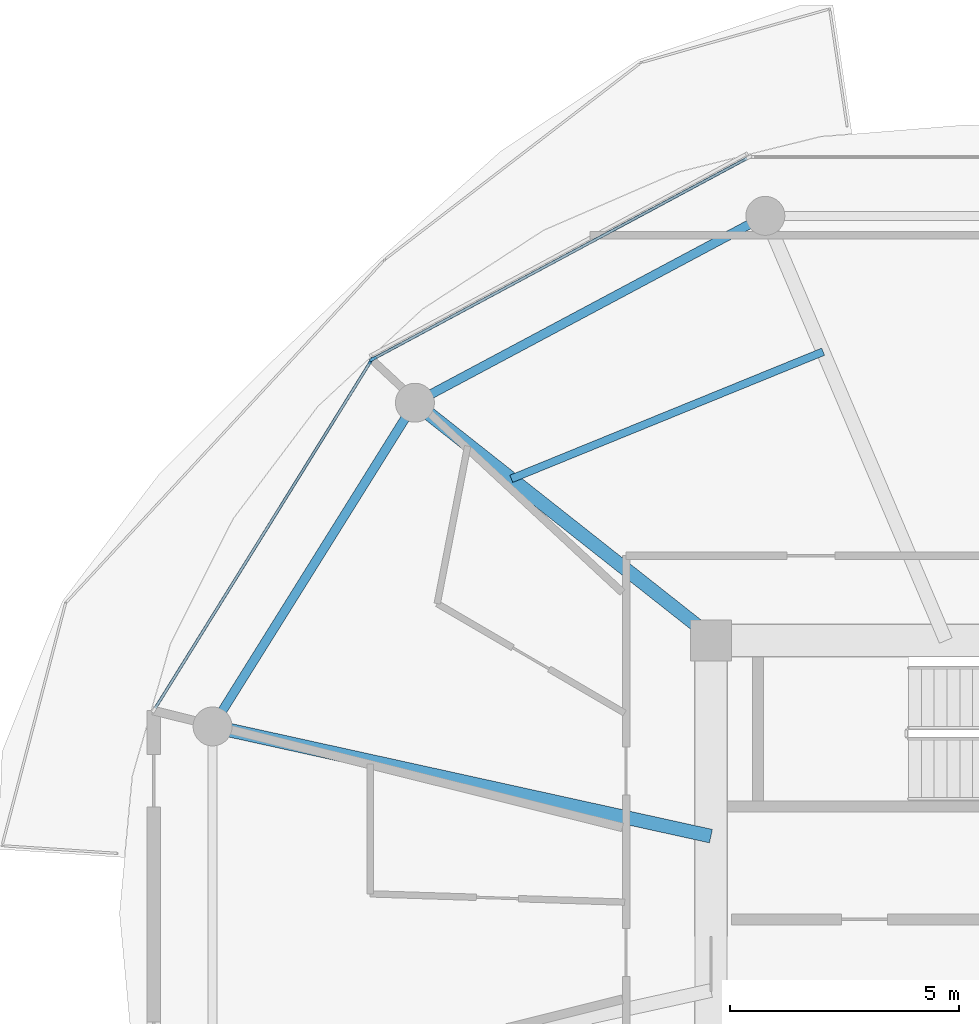
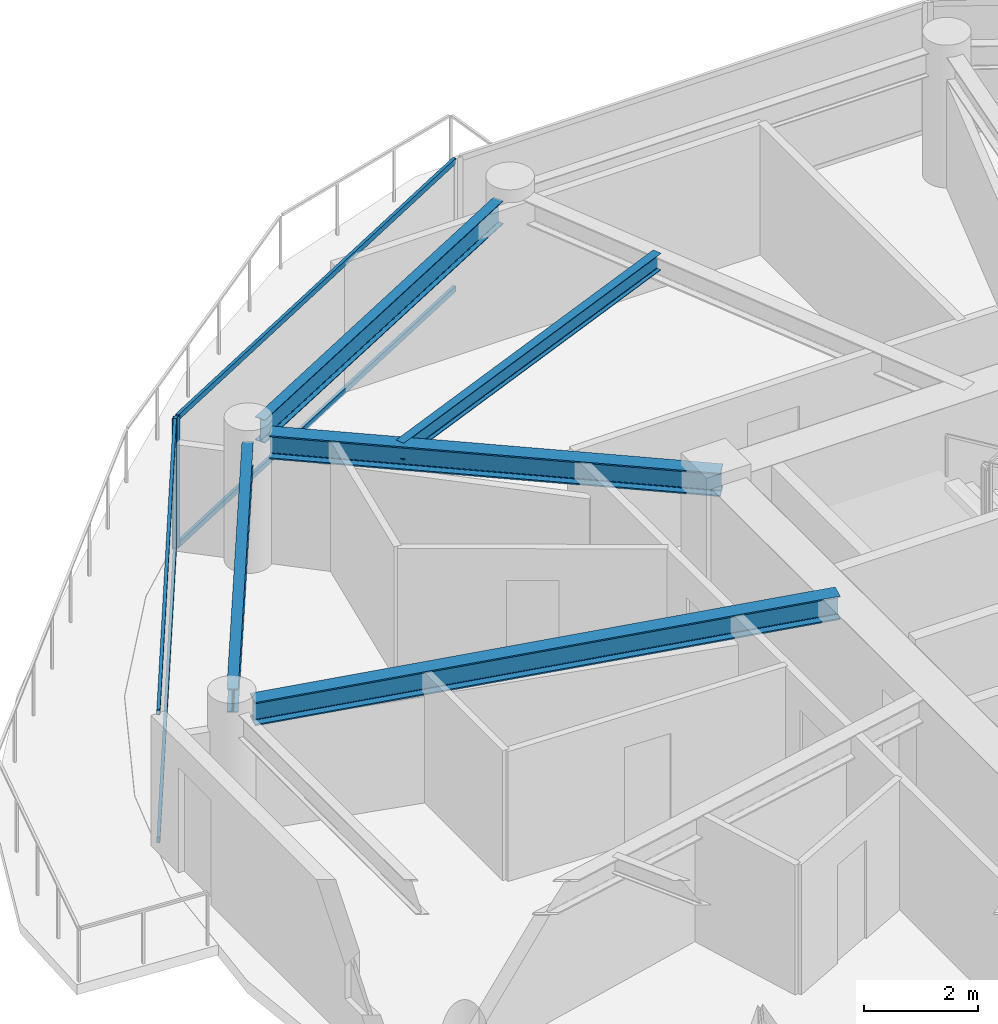
# One storey, part 8 of 22: 6 members, 5 beams, 2 elements without a shape of their own.
"""IFC4 building model written with IfcOpenShell, lengths in metres."""

from ifc_helpers import new_model, si_unit, direction, frame, origin, origin_2d, place, context, subcontext, project, spatial, rectangle, i_section, extrude, source, transform, mapped, material, layer, layer_set, material_profile, profile_set, type_object, type_shapes, element, aggregate, save


model = new_model("IFC4")

# Units and contexts
model_context = context("Model", 3, precision=1e-05, world=origin(), true_north=direction((0.0, 1.0)))
body_context = subcontext(model_context, "Body", "Model", "MODEL_VIEW")
ifc_project = project(units=[si_unit("LENGTHUNIT", "METRE"), si_unit("AREAUNIT", "SQUARE_METRE"), si_unit("VOLUMEUNIT", "CUBIC_METRE"), si_unit("PLANEANGLEUNIT", "RADIAN"), si_unit("MASSUNIT", "GRAM", prefix="KILO")], contexts=[model_context])

# Site, building, storey
site_placement = place(None, origin())
site = spatial("IfcSite", under=ifc_project, at=site_placement, CompositionType="ELEMENT")
building_placement = place(site_placement, origin())
building = spatial("IfcBuilding", under=site, at=building_placement, Name="Norrkilde Senior Care Towers", CompositionType="ELEMENT")
storey_placement = place(building_placement, frame((0.0, 0.0, 120.64990234375)))
storey = spatial("IfcBuildingStorey", under=building, at=storey_placement, Name="L37", CompositionType="ELEMENT", Elevation=120.64990234375)

# Beams
ifc_material_1 = material(Name="Steel S355", Category="steel")
ifc_material_profile_1 = material_profile(ifc_material_1, i_section(OverallWidth=0.199951171875, OverallDepth=0.5, WebThickness=0.01025390625, FlangeThickness=0.01611328125, FilletRadius=0.02099609375, at=origin_2d()), Name="IPE 500")
ifc_profile_set_1 = profile_set([ifc_material_profile_1], Name="Steel S355")
beam_type_1 = type_object("IfcBeamType", Name="Perimeter Ring Spandrel Z2 IPE500", PredefinedType="SPANDREL", material=ifc_profile_set_1)
shared_shape_1 = source(origin(), body_context, "Body", "SweptSolid", [
    extrude(i_section(OverallWidth=0.199951171875, OverallDepth=0.5, WebThickness=0.01025390625, FlangeThickness=0.01611328125, FilletRadius=0.02099609375, at=origin_2d()), origin(), (0.0, 0.0, 1.0), 7.55615234375),
])
beam_1_placement = place(storey_placement, frame((13.689697265625, 10.810546875, 2.5400390625), z_axis=(-0.529981514254, -0.848009194849, 0.0), x_axis=(0.848009194849, -0.529981514254, 0.0)))
element("IfcBeam", 1, at=beam_1_placement, inside=storey, type_object=beam_type_1, Name="L37 Drum E Perimeter Spandrel 05", PredefinedType="SPANDREL", context=body_context, shape_type="MappedRepresentation", body=[
    mapped(shared_shape_1, transform((0.0, 0.0, 0.0), x_axis=(1.0, 0.0, 0.0), y_axis=(0.0, 1.0, 0.0), z_axis=(0.0, 0.0, 1.0), scale=1.0)),
])
ifc_material_profile_2 = material_profile(ifc_material_1, i_section(OverallWidth=0.300048828125, OverallDepth=0.5, WebThickness=0.014404296875, FlangeThickness=0.028076171875, FilletRadius=0.027099609375, at=origin_2d()), Name="HEB 500")
ifc_profile_set_2 = profile_set([ifc_material_profile_2], Name="Steel S355")
beam_type_2 = type_object("IfcBeamType", Name="Radial Floor Beam Z2 HEB500", PredefinedType="BEAM", material=ifc_profile_set_2)
shared_shape_2 = source(origin(), body_context, "Body", "SweptSolid", [
    extrude(i_section(OverallWidth=0.300048828125, OverallDepth=0.5, WebThickness=0.014404296875, FlangeThickness=0.028076171875, FilletRadius=0.027099609375, at=origin_2d()), origin(), (0.0, 0.0, 1.0), 10.744384765625),
])
beam_2_placement = place(storey_placement, frame((20.35009765625, 1.683837890625, 2.5400390625), z_axis=(-0.976618711422, 0.214978818724, 0.0), x_axis=(-0.214978818724, -0.976618711422, 0.0)))
element("IfcBeam", 2, at=beam_2_placement, inside=storey, type_object=beam_type_2, Name="L37 Drum E Radial Floor Beam 06", PredefinedType="BEAM", context=body_context, shape_type="MappedRepresentation", body=[
    mapped(shared_shape_2, transform((0.0, 0.0, 0.0), x_axis=(1.0, 0.0, 0.0), y_axis=(0.0, 1.0, 0.0), z_axis=(0.0, 0.0, 1.0), scale=1.0)),
])
shared_shape_3 = source(origin(), body_context, "Body", "SweptSolid", [
    extrude(i_section(OverallWidth=0.199951171875, OverallDepth=0.5, WebThickness=0.01025390625, FlangeThickness=0.01611328125, FilletRadius=0.02099609375, at=origin_2d()), origin(), (0.0, 0.0, 1.0), 7.892333984375),
])
type_shapes(beam_type_1, [shared_shape_1, shared_shape_3])
beam_3_placement = place(storey_placement, frame((21.197509765625, 15.0322265625, 2.5400390625), z_axis=(-0.882350372282, -0.47059305194, 0.0), x_axis=(0.47059305194, -0.882350372282, 0.0)))
element("IfcBeam", 3, at=beam_3_placement, inside=storey, type_object=beam_type_1, Name="L37 Drum E Perimeter Spandrel 04", PredefinedType="SPANDREL", context=body_context, shape_type="MappedRepresentation", body=[
    mapped(shared_shape_3, transform((0.0, 0.0, 0.0), x_axis=(1.0, 0.0, 0.0), y_axis=(0.0, 1.0, 0.0), z_axis=(0.0, 0.0, 1.0), scale=1.0)),
])
shared_shape_4 = source(origin(), body_context, "Body", "SweptSolid", [
    extrude(i_section(OverallWidth=0.300048828125, OverallDepth=0.5, WebThickness=0.014404296875, FlangeThickness=0.028076171875, FilletRadius=0.027099609375, at=origin_2d()), origin(), (0.0, 0.0, 1.0), 7.985595703125),
])
type_shapes(beam_type_2, [shared_shape_2, shared_shape_4])
beam_4_placement = place(storey_placement, frame((20.463623046875, 5.949951171875, 2.5400390625), z_axis=(-0.784858505144, 0.619675017169, 0.0), x_axis=(-0.619675017169, -0.784858505144, 0.0)))
element("IfcBeam", 4, at=beam_4_placement, inside=storey, type_object=beam_type_2, Name="L37 Drum E Radial Floor Beam 05", PredefinedType="BEAM", context=body_context, shape_type="MappedRepresentation", body=[
    mapped(shared_shape_4, transform((0.0, 0.0, 0.0), x_axis=(1.0, 0.0, 0.0), y_axis=(0.0, 1.0, 0.0), z_axis=(0.0, 0.0, 1.0), scale=1.0)),
])
ifc_material_profile_3 = material_profile(ifc_material_1, i_section(OverallWidth=0.169921875, OverallDepth=0.360107421875, WebThickness=0.008056640625, FlangeThickness=0.0126953125, FilletRadius=0.01806640625, at=origin_2d()), Name="IPE 360")
ifc_profile_set_3 = profile_set([ifc_material_profile_3], Name="Steel S355")
beam_type_3 = type_object("IfcBeamType", Name="Secondary Floor Joist IPE360", PredefinedType="JOIST", material=ifc_profile_set_3)
shared_shape_5 = source(origin(), body_context, "Body", "SweptSolid", [
    extrude(i_section(OverallWidth=0.169921875, OverallDepth=0.360107421875, WebThickness=0.008056640625, FlangeThickness=0.0126953125, FilletRadius=0.01806640625, at=origin_2d()), origin(), (0.0, 0.0, 1.0), 7.343505859375),
])
type_shapes(beam_type_3, [shared_shape_5])
beam_5_placement = place(storey_placement, frame((22.79638671875, 12.2490234375, 2.610107421875), z_axis=(-0.926021784767, -0.377470070519, 0.0), x_axis=(0.377470070519, -0.926021784767, 0.0)))
element("IfcBeam", 5, at=beam_5_placement, inside=storey, type_object=beam_type_3, Name="L37 Drum E Secondary Floor Joist 2", PredefinedType="JOIST", context=body_context, shape_type="MappedRepresentation", body=[
    mapped(shared_shape_5, transform((0.0, 0.0, 0.0), x_axis=(1.0, 0.0, 0.0), y_axis=(0.0, 1.0, 0.0), z_axis=(0.0, 0.0, 1.0), scale=1.0)),
])

# Curtain wall, member
ifc_material_2 = material(Name="Triple Low-E Insulated Glazing", Category="glass")
ifc_layer = layer(ifc_material_2, 0.195068359375)
ifc_layer_set = layer_set([ifc_layer], Name="Triple Low-E Insulated Glazing")
curtain_wall_type = type_object("IfcCurtainWallType", Name="CW3 Zone 2 Assisted Living Curtain Wall", PredefinedType="NOTDEFINED", material=ifc_layer_set)
curtain_wall_1_placement = place(storey_placement, origin())
curtain_wall_1 = element("IfcCurtainWall", 6, at=curtain_wall_1_placement, inside=storey, type_object=curtain_wall_type, Name="L37 Drum E Curtain Wall 03", PredefinedType="NOTDEFINED")
ifc_material_3 = material(Name="Anodised Aluminium", Category="aluminium")
ifc_material_profile_4 = material_profile(ifc_material_3, rectangle(XDim=0.06494140625, YDim=0.159912109375, at=origin_2d()), Name="ALU MULL 65x160")
ifc_profile_set_4 = profile_set([ifc_material_profile_4], Name="Anodised Aluminium")
member_type_1 = type_object("IfcMemberType", Name="Curtain Wall Mullion Z1-Z2 65x160", PredefinedType="MULLION", material=ifc_profile_set_4)
shared_shape_6 = source(origin(), body_context, "Body", "SweptSolid", [
    extrude(rectangle(XDim=0.06494140625, YDim=0.159912109375, at=origin_2d()), origin(), (0.0, 0.0, 1.0), 2.7900390625),
])
type_shapes(member_type_1, [shared_shape_6])
member_1_placement = place(storey_placement, frame((12.98193359375, 12.0927734375, 0.0), z_axis=(0.0, 0.0, 1.0), x_axis=(-0.472769402511, 0.881186184668, 0.0)))
member_1 = element("IfcMember", 7, at=member_1_placement, type_object=member_type_1, Name="CW-3 mullion 1", PredefinedType="MULLION", context=body_context, shape_type="MappedRepresentation", body=[
    mapped(shared_shape_6, transform((0.0, 0.0, 0.0), x_axis=(1.0, 0.0, 0.0), y_axis=(0.0, 1.0, 0.0), z_axis=(0.0, 0.0, 1.0), scale=1.0)),
])

# Curtain wall, members
curtain_wall_2_placement = place(storey_placement, origin())
curtain_wall_2 = element("IfcCurtainWall", 8, at=curtain_wall_2_placement, inside=storey, type_object=curtain_wall_type, Name="L37 Drum E Curtain Wall 04", PredefinedType="NOTDEFINED")
member_2_placement = place(storey_placement, frame((12.936279296875, 12.0498046875, 0.0), z_axis=(0.0, 0.0, 1.0), x_axis=(-0.849410171862, 0.527733228002, 0.0)))
member_2 = element("IfcMember", 9, at=member_2_placement, type_object=member_type_1, Name="CW-3 mullion 2", PredefinedType="MULLION", context=body_context, shape_type="MappedRepresentation", body=[
    mapped(shared_shape_6, transform((0.0, 0.0, 0.0), x_axis=(1.0, 0.0, 0.0), y_axis=(0.0, 1.0, 0.0), z_axis=(0.0, 0.0, 1.0), scale=1.0)),
])
ifc_material_profile_5 = material_profile(ifc_material_3, rectangle(XDim=0.06005859375, YDim=0.1201171875, at=origin_2d()), Name="ALU TRAN 60x120")
ifc_profile_set_5 = profile_set([ifc_material_profile_5], Name="Anodised Aluminium")
member_type_2 = type_object("IfcMemberType", Name="Curtain Wall Transom Typical 60x120", PredefinedType="USERDEFINED", material=ifc_profile_set_5)
shared_shape_7 = source(origin(), body_context, "Body", "SweptSolid", [
    extrude(rectangle(XDim=0.06005859375, YDim=0.1201171875, at=origin_2d()), origin(), (0.0, 0.0, 1.0), 8.88427734375),
])
member_3_placement = place(storey_placement, frame((8.23046875, 4.475830078125, 0.030029296875), z_axis=(0.527749293309, 0.849400190377, 0.0), x_axis=(-0.849400190377, 0.527749293309, 0.0)))
member_3 = element("IfcMember", 10, at=member_3_placement, type_object=member_type_2, Name="CW-3 transom 1.1", ObjectType="TRANSOM", PredefinedType="USERDEFINED", context=body_context, shape_type="MappedRepresentation", body=[
    mapped(shared_shape_7, transform((0.0, 0.0, 0.0), x_axis=(1.0, 0.0, 0.0), y_axis=(0.0, 1.0, 0.0), z_axis=(0.0, 0.0, 1.0), scale=1.0)),
])
member_4_placement = place(storey_placement, frame((8.23046875, 4.475830078125, 2.760009765625), z_axis=(0.527749293309, 0.849400190377, 0.0), x_axis=(-0.849400190377, 0.527749293309, 0.0)))
member_4 = element("IfcMember", 11, at=member_4_placement, type_object=member_type_2, Name="CW-3 transom 1.2", ObjectType="TRANSOM", PredefinedType="USERDEFINED", context=body_context, shape_type="MappedRepresentation", body=[
    mapped(shared_shape_7, transform((0.0, 0.0, 0.0), x_axis=(1.0, 0.0, 0.0), y_axis=(0.0, 1.0, 0.0), z_axis=(0.0, 0.0, 1.0), scale=1.0)),
])
aggregate(curtain_wall_2, [member_2, member_3, member_4])

# Member
shared_shape_8 = source(origin(), body_context, "Body", "SweptSolid", [
    extrude(rectangle(XDim=0.06005859375, YDim=0.1201171875, at=origin_2d()), origin(), (0.0, 0.0, 1.0), 9.220458984375),
])
type_shapes(member_type_2, [shared_shape_7, shared_shape_8])
member_5_placement = place(storey_placement, frame((13.0107421875, 12.108154296875, 0.030029296875), z_axis=(0.881188517866, 0.472765053681, 0.0), x_axis=(-0.472765053681, 0.881188517866, 0.0)))
member_5 = element("IfcMember", 12, at=member_5_placement, type_object=member_type_2, Name="CW-3 transom 1.1", ObjectType="TRANSOM", PredefinedType="USERDEFINED", context=body_context, shape_type="MappedRepresentation", body=[
    mapped(shared_shape_8, transform((0.0, 0.0, 0.0), x_axis=(1.0, 0.0, 0.0), y_axis=(0.0, 1.0, 0.0), z_axis=(0.0, 0.0, 1.0), scale=1.0)),
])

member_6_placement = place(storey_placement, frame((13.0107421875, 12.108154296875, 2.760009765625), z_axis=(0.881188517866, 0.472765053681, 0.0), x_axis=(-0.472765053681, 0.881188517866, 0.0)))
member_6 = element("IfcMember", 13, at=member_6_placement, type_object=member_type_2, Name="CW-3 transom 1.2", ObjectType="TRANSOM", PredefinedType="USERDEFINED", context=body_context, shape_type="MappedRepresentation", body=[
    mapped(shared_shape_8, transform((0.0, 0.0, 0.0), x_axis=(1.0, 0.0, 0.0), y_axis=(0.0, 1.0, 0.0), z_axis=(0.0, 0.0, 1.0), scale=1.0)),
])

aggregate(curtain_wall_1, [member_1, member_5, member_6])

save(model, "model.ifc")
